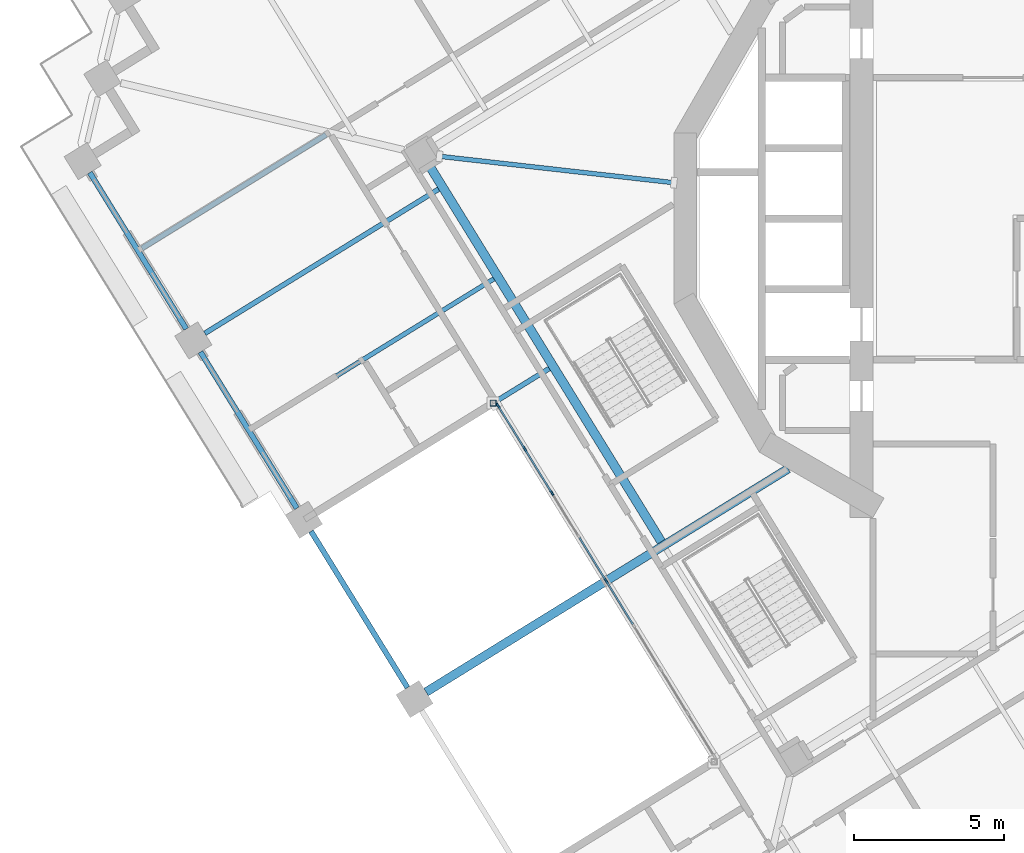
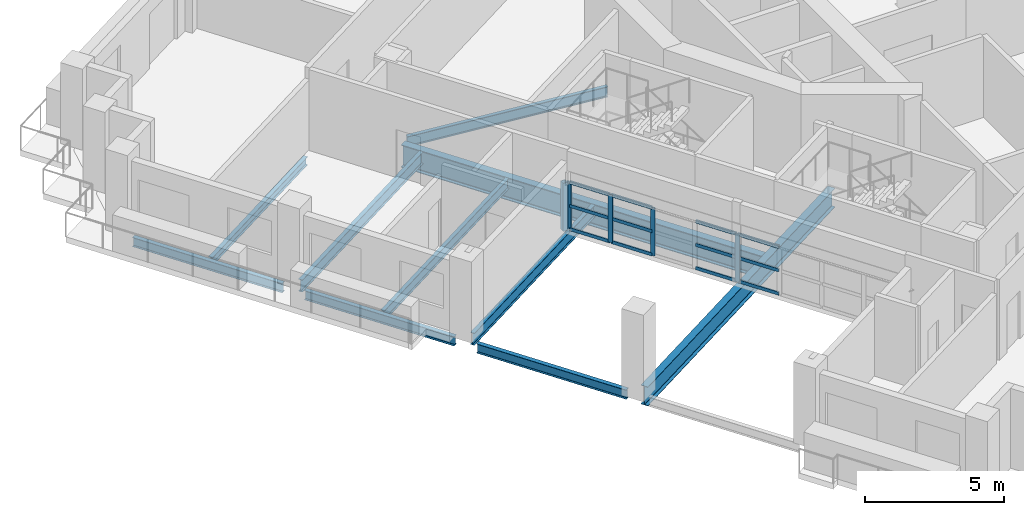
# One storey, part 3 of 22: 17 members, 10 beams, 1 element without a shape of its own.
"""IFC4 building model written with IfcOpenShell, lengths in metres."""

from ifc_helpers import new_model, si_unit, direction, frame, origin, origin_2d, place, context, subcontext, project, spatial, rectangle, hollow_rectangle, i_section, extrude, material, material_profile, profile_set, type_object, element, aggregate, save


model = new_model("IFC4")

# Units and contexts
model_context = context("Model", 3, precision=1e-05, world=origin(), true_north=direction((0.0, 1.0)))
body_context = subcontext(model_context, "Body", "Model", "MODEL_VIEW")
ifc_project = project(units=[si_unit("LENGTHUNIT", "METRE"), si_unit("AREAUNIT", "SQUARE_METRE"), si_unit("VOLUMEUNIT", "CUBIC_METRE"), si_unit("PLANEANGLEUNIT", "RADIAN"), si_unit("MASSUNIT", "GRAM", prefix="KILO")], contexts=[model_context])

# Site, building, storey
site_placement = place(None, origin())
site = spatial("IfcSite", under=ifc_project, at=site_placement, CompositionType="ELEMENT")
building_placement = place(site_placement, origin())
building = spatial("IfcBuilding", under=site, at=building_placement, Name="Cantera Rosa Tower", CompositionType="ELEMENT")
storey_placement = place(building_placement, frame((0.0, 0.0, 162.800048828125)))
storey = spatial("IfcBuildingStorey", under=building, at=storey_placement, Name="L35", CompositionType="ELEMENT", Elevation=162.800048828125)

# Curtain wall, members
ifc_material_1 = material(Name="Aluminium frame with clear glass", Category="aluminium")
curtain_wall_type = type_object("IfcCurtainWallType", Name="CW1 TERRACE POCKET GLAZING", PredefinedType="NOTDEFINED", material=ifc_material_1)
curtain_wall_placement = place(storey_placement, origin())
curtain_wall = element("IfcCurtainWall", 1, at=curtain_wall_placement, inside=storey, type_object=curtain_wall_type, Name="CW1 CW1", PredefinedType="NOTDEFINED")
ifc_material_2 = material(Name="Anodised bronze aluminium", Category="aluminium")
ifc_material_profile_1 = material_profile(ifc_material_2, rectangle(XDim=0.06005859375, YDim=0.179931640625, at=origin_2d()), Name="CW-MULLION 60x180 POCKET")
ifc_profile_set_1 = profile_set([ifc_material_profile_1], Name="Anodised bronze aluminium")
member_type_1 = type_object("IfcMemberType", Name="CW-MULLION 60x180 POCKET", PredefinedType="MULLION", material=ifc_profile_set_1)
member_1_placement = place(storey_placement, frame((-16.485595703125, -6.2265625, 0.0), z_axis=(0.0, 0.0, 1.0), x_axis=(0.851116672416, 0.524976580369, 0.0)))
member_1 = element("IfcMember", 2, at=member_1_placement, type_object=member_type_1, Name="CW1 mullion 1", PredefinedType="MULLION", context=body_context, shape_type="SweptSolid", body=[
    extrude(rectangle(XDim=0.06005859375, YDim=0.179931640625, at=origin_2d()), origin(), (0.0, 0.0, 1.0), 2.10400390625),
])
member_2_placement = place(storey_placement, frame((-15.596435546875, -7.668212890625, 0.0), z_axis=(0.0, 0.0, 1.0), x_axis=(0.851116672416, 0.524976580369, 0.0)))
member_2 = element("IfcMember", 3, at=member_2_placement, type_object=member_type_1, Name="CW1 mullion 2", PredefinedType="MULLION", context=body_context, shape_type="SweptSolid", body=[
    extrude(rectangle(XDim=0.06005859375, YDim=0.179931640625, at=origin_2d()), origin(), (0.0, 0.0, 1.0), 2.10400390625),
])
member_3_placement = place(storey_placement, frame((-14.69140625, -9.13525390625, 0.0), z_axis=(0.0, 0.0, 1.0), x_axis=(0.851116672416, 0.524976580369, 0.0)))
member_3 = element("IfcMember", 4, at=member_3_placement, type_object=member_type_1, Name="CW1 mullion 3", PredefinedType="MULLION", context=body_context, shape_type="SweptSolid", body=[
    extrude(rectangle(XDim=0.06005859375, YDim=0.179931640625, at=origin_2d()), origin(), (0.0, 0.0, 1.0), 2.10400390625),
])
member_4_placement = place(storey_placement, frame((-12.881591796875, -12.069580078125, 0.0), z_axis=(0.0, 0.0, 1.0), x_axis=(0.851116672416, 0.524976580369, 0.0)))
member_4 = element("IfcMember", 5, at=member_4_placement, type_object=member_type_1, Name="CW1 mullion 5", PredefinedType="MULLION", context=body_context, shape_type="SweptSolid", body=[
    extrude(rectangle(XDim=0.06005859375, YDim=0.179931640625, at=origin_2d()), origin(), (0.0, 0.0, 1.0), 2.10400390625),
])
ifc_material_3 = material(Name="Anodised bronze aluminium", Category="aluminium")
ifc_material_profile_2 = material_profile(ifc_material_3, rectangle(XDim=0.06005859375, YDim=0.139892578125, at=origin_2d()), Name="CW-TRANSOM 60x140 POCKET")
ifc_profile_set_2 = profile_set([ifc_material_profile_2], Name="Anodised bronze aluminium")
member_type_2 = type_object("IfcMemberType", Name="CW-TRANSOM 60x140 POCKET", PredefinedType="USERDEFINED", material=ifc_profile_set_2)
member_5_placement = place(storey_placement, frame((-16.469970703125, -6.252197265625, 0.030029296875), z_axis=(0.525005993613, -0.851098529355, 0.0), x_axis=(0.851098529355, 0.525005993613, 0.0)))
member_5 = element("IfcMember", 6, at=member_5_placement, type_object=member_type_2, Name="CW1 transom 1.1", ObjectType="TRANSOM", PredefinedType="USERDEFINED", context=body_context, shape_type="SweptSolid", body=[
    extrude(rectangle(XDim=0.06005859375, YDim=0.139892578125, at=origin_2d()), origin(), (0.0, 0.0, 1.0), 1.633544921875),
])
member_6_placement = place(storey_placement, frame((-16.469970703125, -6.252197265625, 1.052001953125), z_axis=(0.525005993613, -0.851098529355, 0.0), x_axis=(0.851098529355, 0.525005993613, 0.0)))
member_6 = element("IfcMember", 7, at=member_6_placement, type_object=member_type_2, Name="CW1 transom 1.2", ObjectType="TRANSOM", PredefinedType="USERDEFINED", context=body_context, shape_type="SweptSolid", body=[
    extrude(rectangle(XDim=0.06005859375, YDim=0.139892578125, at=origin_2d()), origin(), (0.0, 0.0, 1.0), 1.633544921875),
])
member_7_placement = place(storey_placement, frame((-16.469970703125, -6.252197265625, 2.073974609375), z_axis=(0.525005993613, -0.851098529355, 0.0), x_axis=(0.851098529355, 0.525005993613, 0.0)))
member_7 = element("IfcMember", 8, at=member_7_placement, type_object=member_type_2, Name="CW1 transom 1.3", ObjectType="TRANSOM", PredefinedType="USERDEFINED", context=body_context, shape_type="SweptSolid", body=[
    extrude(rectangle(XDim=0.06005859375, YDim=0.139892578125, at=origin_2d()), origin(), (0.0, 0.0, 1.0), 1.633544921875),
])
member_8_placement = place(storey_placement, frame((-15.58056640625, -7.693603515625, 0.030029296875), z_axis=(0.524858582698, -0.851189443173, 0.0), x_axis=(0.851189443173, 0.524858582698, 0.0)))
member_8 = element("IfcMember", 9, at=member_8_placement, type_object=member_type_2, Name="CW1 transom 2.1", ObjectType="TRANSOM", PredefinedType="USERDEFINED", context=body_context, shape_type="SweptSolid", body=[
    extrude(rectangle(XDim=0.06005859375, YDim=0.139892578125, at=origin_2d()), origin(), (0.0, 0.0, 1.0), 1.663818359375),
])
member_9_placement = place(storey_placement, frame((-15.58056640625, -7.693603515625, 1.052001953125), z_axis=(0.524858582698, -0.851189443173, 0.0), x_axis=(0.851189443173, 0.524858582698, 0.0)))
member_9 = element("IfcMember", 10, at=member_9_placement, type_object=member_type_2, Name="CW1 transom 2.2", ObjectType="TRANSOM", PredefinedType="USERDEFINED", context=body_context, shape_type="SweptSolid", body=[
    extrude(rectangle(XDim=0.06005859375, YDim=0.139892578125, at=origin_2d()), origin(), (0.0, 0.0, 1.0), 1.663818359375),
])
member_10_placement = place(storey_placement, frame((-15.58056640625, -7.693603515625, 2.073974609375), z_axis=(0.524858582698, -0.851189443173, 0.0), x_axis=(0.851189443173, 0.524858582698, 0.0)))
member_10 = element("IfcMember", 11, at=member_10_placement, type_object=member_type_2, Name="CW1 transom 2.3", ObjectType="TRANSOM", PredefinedType="USERDEFINED", context=body_context, shape_type="SweptSolid", body=[
    extrude(rectangle(XDim=0.06005859375, YDim=0.139892578125, at=origin_2d()), origin(), (0.0, 0.0, 1.0), 1.663818359375),
])
member_11_placement = place(storey_placement, frame((-13.770751953125, -10.6279296875, 0.030029296875), z_axis=(0.524924142227, -0.851149014514, 0.0), x_axis=(0.851149014514, 0.524924142227, 0.0)))
member_11 = element("IfcMember", 12, at=member_11_placement, type_object=member_type_2, Name="CW1 transom 4.1", ObjectType="TRANSOM", PredefinedType="USERDEFINED", context=body_context, shape_type="SweptSolid", body=[
    extrude(rectangle(XDim=0.06005859375, YDim=0.139892578125, at=origin_2d()), origin(), (0.0, 0.0, 1.0), 1.66357421875),
])
member_12_placement = place(storey_placement, frame((-13.770751953125, -10.6279296875, 1.052001953125), z_axis=(0.524924142227, -0.851149014514, 0.0), x_axis=(0.851149014514, 0.524924142227, 0.0)))
member_12 = element("IfcMember", 13, at=member_12_placement, type_object=member_type_2, Name="CW1 transom 4.2", ObjectType="TRANSOM", PredefinedType="USERDEFINED", context=body_context, shape_type="SweptSolid", body=[
    extrude(rectangle(XDim=0.06005859375, YDim=0.139892578125, at=origin_2d()), origin(), (0.0, 0.0, 1.0), 1.66357421875),
])
member_13_placement = place(storey_placement, frame((-13.770751953125, -10.6279296875, 2.073974609375), z_axis=(0.524924142227, -0.851149014514, 0.0), x_axis=(0.851149014514, 0.524924142227, 0.0)))
member_13 = element("IfcMember", 14, at=member_13_placement, type_object=member_type_2, Name="CW1 transom 4.3", ObjectType="TRANSOM", PredefinedType="USERDEFINED", context=body_context, shape_type="SweptSolid", body=[
    extrude(rectangle(XDim=0.06005859375, YDim=0.139892578125, at=origin_2d()), origin(), (0.0, 0.0, 1.0), 1.66357421875),
])
member_14_placement = place(storey_placement, frame((-12.865966796875, -12.094970703125, 0.030029296875), z_axis=(0.525030443539, -0.851083446765, 0.0), x_axis=(0.851083446765, 0.525030443539, 0.0)))
member_14 = element("IfcMember", 15, at=member_14_placement, type_object=member_type_2, Name="CW1 transom 5.1", ObjectType="TRANSOM", PredefinedType="USERDEFINED", context=body_context, shape_type="SweptSolid", body=[
    extrude(rectangle(XDim=0.06005859375, YDim=0.139892578125, at=origin_2d()), origin(), (0.0, 0.0, 1.0), 1.663818359375),
])
member_15_placement = place(storey_placement, frame((-12.865966796875, -12.094970703125, 1.052001953125), z_axis=(0.525030443539, -0.851083446765, 0.0), x_axis=(0.851083446765, 0.525030443539, 0.0)))
member_15 = element("IfcMember", 16, at=member_15_placement, type_object=member_type_2, Name="CW1 transom 5.2", ObjectType="TRANSOM", PredefinedType="USERDEFINED", context=body_context, shape_type="SweptSolid", body=[
    extrude(rectangle(XDim=0.06005859375, YDim=0.139892578125, at=origin_2d()), origin(), (0.0, 0.0, 1.0), 1.663818359375),
])
member_16_placement = place(storey_placement, frame((-12.865966796875, -12.094970703125, 2.073974609375), z_axis=(0.525030443539, -0.851083446765, 0.0), x_axis=(0.851083446765, 0.525030443539, 0.0)))
member_16 = element("IfcMember", 17, at=member_16_placement, type_object=member_type_2, Name="CW1 transom 5.3", ObjectType="TRANSOM", PredefinedType="USERDEFINED", context=body_context, shape_type="SweptSolid", body=[
    extrude(rectangle(XDim=0.06005859375, YDim=0.139892578125, at=origin_2d()), origin(), (0.0, 0.0, 1.0), 1.663818359375),
])
aggregate(curtain_wall, [member_1, member_2, member_3, member_4, member_5, member_6, member_7, member_8, member_9, member_10, member_11, member_12, member_13, member_14, member_15, member_16])

# Member
ifc_material_4 = material(Name="Steel ASTM A992 (Fy 345 MPa)", Category="steel")
ifc_material_profile_3 = material_profile(ifc_material_4, hollow_rectangle(XDim=0.199951171875, YDim=0.199951171875, WallThickness=0.010009765625, at=origin_2d()), Name="LINTEL POST RHS 200x200x10")
ifc_profile_set_3 = profile_set([ifc_material_profile_3], Name="Steel ASTM A992 (Fy 345 MPa)")
member_type_3 = type_object("IfcMemberType", Name="LINTEL POST RHS 200x200x10", PredefinedType="USERDEFINED", material=ifc_profile_set_3)
member_17_placement = place(storey_placement, frame((-16.652099609375, -6.147216796875, 0.0), z_axis=(0.0, 0.0, 1.0), x_axis=(1.0, 0.0, 0.0)))
element("IfcMember", 18, at=member_17_placement, inside=storey, type_object=member_type_3, Name="LINTEL POST L35-1", ObjectType="LINTEL POST", PredefinedType="USERDEFINED", context=body_context, shape_type="SweptSolid", body=[
    extrude(hollow_rectangle(XDim=0.199951171875, YDim=0.199951171875, WallThickness=0.010009765625, at=origin_2d()), origin(), (0.0, 0.0, 1.0), 2.10595703125),
])

# Beams
ifc_material_5 = material(Name="Steel ASTM A992 (Fy 345 MPa)", Category="steel")
ifc_material_profile_4 = material_profile(ifc_material_5, i_section(OverallWidth=0.300048828125, OverallDepth=0.990966796875, WebThickness=0.0166015625, FlangeThickness=0.030517578125, FilletRadius=0.030029296875, at=origin_2d()), Name="W1000X272")
ifc_profile_set_4 = profile_set([ifc_material_profile_4], Name="Steel ASTM A992 (Fy 345 MPa)")
beam_type_1 = type_object("IfcBeamType", Name="STEEL BEAM W1000X272", PredefinedType="BEAM", material=ifc_profile_set_4)
beam_1_placement = place(storey_placement, frame((-11.04541015625, -10.7607421875, -0.74560546875), z_axis=(-0.524974072618, 0.851118219215, 0.0), x_axis=(-0.851118219215, -0.524974072618, 0.0)))
element("IfcBeam", 19, at=beam_1_placement, inside=storey, type_object=beam_type_1, Name="RB-Z3-08 L35", PredefinedType="BEAM", context=body_context, shape_type="SweptSolid", body=[
    extrude(i_section(OverallWidth=0.300048828125, OverallDepth=0.990966796875, WebThickness=0.0166015625, FlangeThickness=0.030517578125, FilletRadius=0.030029296875, at=origin_2d()), origin(), (0.0, 0.0, 1.0), 14.7099609375),
])
ifc_material_6 = material(Name="Steel ASTM A992 (Fy 345 MPa)", Category="steel")
ifc_material_profile_5 = material_profile(ifc_material_6, i_section(OverallWidth=0.154052734375, OverallDepth=0.4599609375, WebThickness=0.009033203125, FlangeThickness=0.015380859375, FilletRadius=0.01025390625, at=origin_2d()), Name="W460X68")
ifc_profile_set_5 = profile_set([ifc_material_profile_5], Name="Steel ASTM A992 (Fy 345 MPa)")
beam_type_2 = type_object("IfcBeamType", Name="STEEL BEAM W460X68", PredefinedType="BEAM", material=ifc_profile_set_5)
beam_2_placement = place(storey_placement, frame((-18.435791015625, 2.078125, -0.47998046875), z_axis=(0.993707483767, -0.11200641368, 0.0), x_axis=(0.11200641368, 0.993707483767, 0.0)))
element("IfcBeam", 20, at=beam_2_placement, inside=storey, type_object=beam_type_2, Name="PG-Z3-01 L35", PredefinedType="BEAM", context=body_context, shape_type="SweptSolid", body=[
    extrude(i_section(OverallWidth=0.154052734375, OverallDepth=0.4599609375, WebThickness=0.009033203125, FlangeThickness=0.015380859375, FilletRadius=0.01025390625, at=origin_2d()), origin(), (0.0, 0.0, 1.0), 7.860107421875),
])
ifc_material_7 = material(Name="Steel ASTM A992 (Fy 345 MPa)", Category="steel")
ifc_material_profile_6 = material_profile(ifc_material_7, i_section(OverallWidth=0.166015625, OverallDepth=0.528076171875, WebThickness=0.009765625, FlangeThickness=0.013671875, FilletRadius=0.0126953125, at=origin_2d()), Name="W530X74")
ifc_profile_set_6 = profile_set([ifc_material_profile_6], Name="Steel ASTM A992 (Fy 345 MPa)")
beam_type_3 = type_object("IfcBeamType", Name="STEEL BEAM W530X74", PredefinedType="BEAM", material=ifc_profile_set_6)
beam_3_placement = place(storey_placement, frame((-26.252685546875, -3.82080078125, -0.51416015625), z_axis=(0.851116426313, 0.524976979362, 0.0), x_axis=(-0.524976979362, 0.851116426313, 0.0)))
element("IfcBeam", 21, at=beam_3_placement, inside=storey, type_object=beam_type_3, Name="G-Z3-13 L35", PredefinedType="BEAM", context=body_context, shape_type="SweptSolid", body=[
    extrude(i_section(OverallWidth=0.166015625, OverallDepth=0.528076171875, WebThickness=0.009765625, FlangeThickness=0.013671875, FilletRadius=0.0126953125, at=origin_2d()), origin(), (0.0, 0.0, 1.0), 9.14990234375),
])
beam_4_placement = place(storey_placement, frame((-22.5673828125, -9.795654296875, -0.51416015625), z_axis=(0.851123779764, 0.524965057427, 0.0), x_axis=(-0.524965057427, 0.851123779764, 0.0)))
element("IfcBeam", 22, at=beam_4_placement, inside=storey, type_object=beam_type_3, Name="G-Z3-14 L35", PredefinedType="BEAM", context=body_context, shape_type="SweptSolid", body=[
    extrude(i_section(OverallWidth=0.166015625, OverallDepth=0.528076171875, WebThickness=0.009765625, FlangeThickness=0.013671875, FilletRadius=0.0126953125, at=origin_2d()), origin(), (0.0, 0.0, 1.0), 9.150146484375),
])
ifc_material_8 = material(Name="Steel ASTM A992 (Fy 345 MPa)", Category="steel")
ifc_material_profile_7 = material_profile(ifc_material_8, i_section(OverallWidth=0.2919921875, OverallDepth=0.8359375, WebThickness=0.013916015625, FlangeThickness=0.018798828125, FilletRadius=0.017822265625, at=origin_2d()), Name="W840X176")
ifc_profile_set_7 = profile_set([ifc_material_profile_7], Name="Steel ASTM A992 (Fy 345 MPa)")
beam_type_4 = type_object("IfcBeamType", Name="STEEL BEAM W840X176", PredefinedType="BEAM", material=ifc_profile_set_7)
beam_5_placement = place(storey_placement, frame((-18.882080078125, -15.7705078125, -0.66796875), z_axis=(0.8511231456, 0.524966085595, 0.0), x_axis=(-0.524966085595, 0.8511231456, 0.0)))
element("IfcBeam", 23, at=beam_5_placement, inside=storey, type_object=beam_type_4, Name="G-Z3-15 L35", PredefinedType="BEAM", context=body_context, shape_type="SweptSolid", body=[
    extrude(i_section(OverallWidth=0.2919921875, OverallDepth=0.8359375, WebThickness=0.013916015625, FlangeThickness=0.018798828125, FilletRadius=0.017822265625, at=origin_2d()), origin(), (0.0, 0.0, 1.0), 14.17138671875),
])
ifc_material_9 = material(Name="Steel ASTM A992 (Fy 345 MPa)", Category="steel")
ifc_material_profile_8 = material_profile(ifc_material_9, i_section(OverallWidth=0.1708984375, OverallDepth=0.35595703125, WebThickness=0.00732421875, FlangeThickness=0.01171875, FilletRadius=0.010009765625, at=origin_2d()), Name="W360X51")
ifc_profile_set_8 = profile_set([ifc_material_profile_8], Name="Steel ASTM A992 (Fy 345 MPa)")
beam_type_5 = type_object("IfcBeamType", Name="STEEL JOIST W360X51", PredefinedType="JOIST", material=ifc_profile_set_8)
beam_6_placement = place(storey_placement, frame((-28.3505859375, -0.990966796875, -0.427978515625), z_axis=(0.851109089911, 0.524988873283, 0.0), x_axis=(-0.524988873283, 0.851109089911, 0.0)))
element("IfcBeam", 24, at=beam_6_placement, inside=storey, type_object=beam_type_5, Name="B-Z3-16 L35", PredefinedType="JOIST", context=body_context, shape_type="SweptSolid", body=[
    extrude(i_section(OverallWidth=0.1708984375, OverallDepth=0.35595703125, WebThickness=0.00732421875, FlangeThickness=0.01171875, FilletRadius=0.010009765625, at=origin_2d()), origin(), (0.0, 0.0, 1.0), 7.2099609375),
])
ifc_material_10 = material(Name="Steel ASTM A992 (Fy 345 MPa)", Category="steel")
ifc_material_profile_9 = material_profile(ifc_material_10, i_section(OverallWidth=0.154052734375, OverallDepth=0.4599609375, WebThickness=0.009033203125, FlangeThickness=0.015380859375, FilletRadius=0.01025390625, at=origin_2d()), Name="W460X68")
ifc_profile_set_9 = profile_set([ifc_material_profile_9], Name="Steel ASTM A992 (Fy 345 MPa)")
beam_type_6 = type_object("IfcBeamType", Name="STEEL JOIST W460X68", PredefinedType="JOIST", material=ifc_profile_set_9)
beam_7_placement = place(storey_placement, frame((-24.665283203125, -6.9658203125, -0.47998046875), z_axis=(0.851118539758, 0.524973552935, 0.0), x_axis=(-0.524973552935, 0.851118539758, 0.0)))
element("IfcBeam", 25, at=beam_7_placement, inside=storey, type_object=beam_type_6, Name="B-Z3-17 L35", PredefinedType="JOIST", context=body_context, shape_type="SweptSolid", body=[
    extrude(i_section(OverallWidth=0.154052734375, OverallDepth=0.4599609375, WebThickness=0.009033203125, FlangeThickness=0.015380859375, FilletRadius=0.01025390625, at=origin_2d()), origin(), (0.0, 0.0, 1.0), 9.449951171875),
])
ifc_material_11 = material(Name="Steel ASTM A992 (Fy 345 MPa)", Category="steel")
ifc_material_profile_10 = material_profile(ifc_material_11, i_section(OverallWidth=0.177978515625, OverallDepth=0.406005859375, WebThickness=0.0078125, FlangeThickness=0.0126953125, FilletRadius=0.01025390625, at=origin_2d()), Name="W410X60")
ifc_profile_set_10 = profile_set([ifc_material_profile_10], Name="Steel ASTM A992 (Fy 345 MPa)")
beam_type_7 = type_object("IfcBeamType", Name="STEEL SPANDREL BEAM W410X60", PredefinedType="SPANDREL", material=ifc_profile_set_10)
for number, where, z_axis, x_axis, name in (
    (26, (-30.084716796875, 1.53466796875, -0.453125), (0.524987447654, -0.851109969279, 0.0), (0.851109969279, 0.524987447654, 0.0), "EB-Z3-15 L35"),
    (27, (-26.3994140625, -4.440185546875, -0.453125), (0.524987447654, -0.851109969279, 0.0), (0.851109969279, 0.524987447654, 0.0), "EB-Z3-16 L35"),
    (28, (-22.714111328125, -10.4150390625, -0.453125), (0.524987447654, -0.851109969279, 0.0), (0.851109969279, 0.524987447654, 0.0), "EB-Z3-17 L35"),
):
    element("IfcBeam", number, at=place(storey_placement, frame(where, z_axis=z_axis, x_axis=x_axis)), inside=storey, type_object=beam_type_7, Name=name, PredefinedType="SPANDREL", context=body_context, shape_type="SweptSolid", body=[
        extrude(i_section(OverallWidth=0.177978515625, OverallDepth=0.406005859375, WebThickness=0.0078125, FlangeThickness=0.0126953125, FilletRadius=0.01025390625, at=origin_2d()), origin(), (0.0, 0.0, 1.0), 6.119873046875),
    ])

save(model, "model.ifc")
